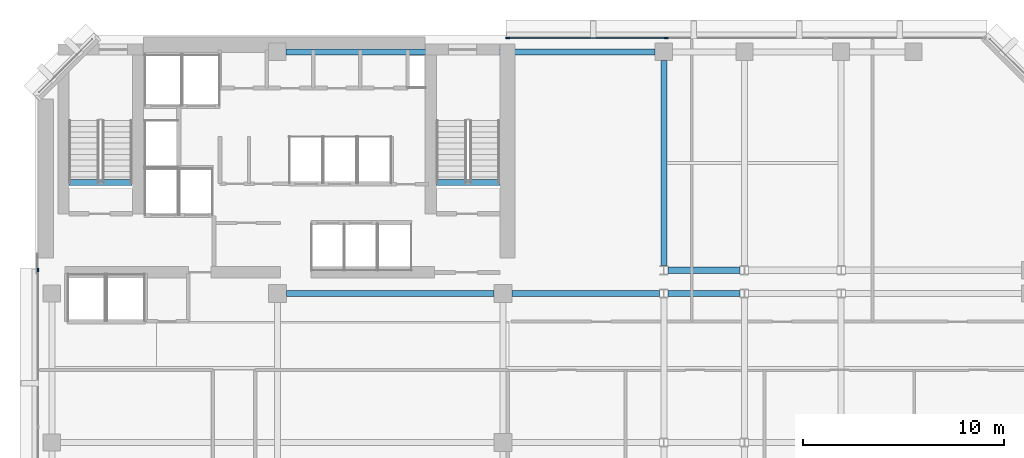
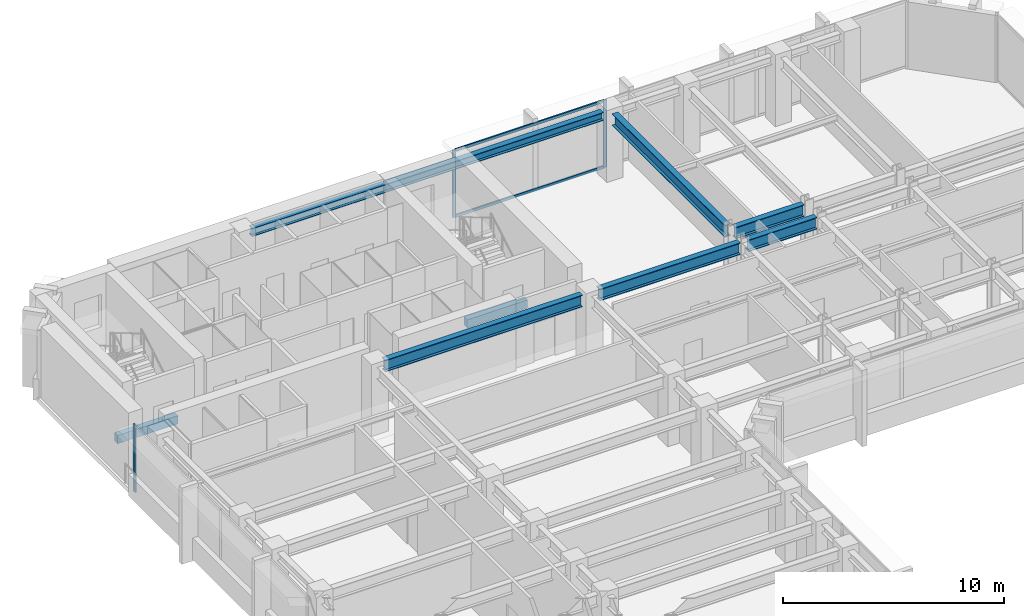
# One storey, part 4 of 11: 8 beams, 5 members, 2 elements without a shape of their own.
"""IFC4 building model written with IfcOpenShell, lengths in metres."""

from ifc_helpers import new_model, si_unit, direction, frame, origin, origin_2d, place, context, subcontext, project, spatial, rectangle, i_section, extrude, material, layer, layer_set, material_profile, profile_set, type_object, element, aggregate, save


model = new_model("IFC4")

# Units and contexts
model_context = context("Model", 3, precision=1e-05, world=origin(), true_north=direction((0.0, 1.0)))
body_context = subcontext(model_context, "Body", "Model", "MODEL_VIEW")
ifc_project = project(units=[si_unit("LENGTHUNIT", "METRE"), si_unit("AREAUNIT", "SQUARE_METRE"), si_unit("VOLUMEUNIT", "CUBIC_METRE"), si_unit("PLANEANGLEUNIT", "RADIAN"), si_unit("MASSUNIT", "GRAM", prefix="KILO")], contexts=[model_context])

# Site, building, storey
site_placement = place(None, origin())
site = spatial("IfcSite", under=ifc_project, at=site_placement, CompositionType="ELEMENT")
building_placement = place(site_placement, origin())
building = spatial("IfcBuilding", under=site, at=building_placement, Name="Kefirva Bronze Tower", CompositionType="ELEMENT")
storey_placement = place(building_placement, frame((0.0, 0.0, 158.72998046875)))
storey = spatial("IfcBuildingStorey", under=building, at=storey_placement, Name="L38", CompositionType="ELEMENT", Elevation=158.72998046875)

# Curtain wall, members
ifc_material_1 = material(Name="Bronze anodised aluminium", Category="aluminium")
ifc_layer = layer(ifc_material_1, 0.199951171875, Name="Bronze anodised aluminium")
ifc_layer_set = layer_set([ifc_layer], Name="Bronze anodised aluminium")
curtain_wall_type = type_object("IfcCurtainWallType", Name="Unitised Bronze Ribbon Curtain Wall Zone 2", PredefinedType="USERDEFINED", material=ifc_layer_set)
curtain_wall_1_placement = place(storey_placement, origin())
curtain_wall_1 = element("IfcCurtainWall", 1, at=curtain_wall_1_placement, inside=storey, type_object=curtain_wall_type, Name="L38 Curtain Wall 5", ObjectType="UNITISED CURTAIN WALL", PredefinedType="USERDEFINED")
ifc_material_profile_1 = material_profile(ifc_material_1, rectangle(XDim=0.074951171875, YDim=0.179931640625, at=origin_2d()), Name="ALU 75x180")
ifc_profile_set_1 = profile_set([ifc_material_profile_1], Name="Bronze anodised aluminium")
member_type_1 = type_object("IfcMemberType", Name="Bronze Mullion 75x180", PredefinedType="MULLION", material=ifc_profile_set_1)
member_1_placement = place(storey_placement, frame((31.318359375, 45.8798828125, 0.0), z_axis=(0.0, 0.0, 1.0), x_axis=(0.0, -1.0, 0.0)))
member_1 = element("IfcMember", 2, at=member_1_placement, type_object=member_type_1, Name="CW-02 mullion 3", PredefinedType="MULLION", context=body_context, shape_type="SweptSolid", body=[
    extrude(rectangle(XDim=0.074951171875, YDim=0.179931640625, at=origin_2d()), origin(), (0.0, 0.0, 1.0), 3.7099609375),
])
member_2_placement = place(storey_placement, frame((23.4423828125, 45.8798828125, 0.0), z_axis=(0.0, 0.0, 1.0), x_axis=(0.0, -1.0, 0.0)))
member_2 = element("IfcMember", 3, at=member_2_placement, type_object=member_type_1, Name="CW-02 mullion 4", PredefinedType="MULLION", context=body_context, shape_type="SweptSolid", body=[
    extrude(rectangle(XDim=0.074951171875, YDim=0.179931640625, at=origin_2d()), origin(), (0.0, 0.0, 1.0), 3.7099609375),
])

# Curtain wall, member
curtain_wall_2_placement = place(storey_placement, origin())
curtain_wall_2 = element("IfcCurtainWall", 4, at=curtain_wall_2_placement, inside=storey, type_object=curtain_wall_type, Name="L38 Curtain Wall 6", ObjectType="UNITISED CURTAIN WALL", PredefinedType="USERDEFINED")
member_3_placement = place(storey_placement, frame((0.1201171875, 34.357421875, 0.0), z_axis=(0.0, 0.0, 1.0), x_axis=(1.0, 0.0, 0.0)))
member_3 = element("IfcMember", 5, at=member_3_placement, type_object=member_type_1, Name="CW-02 mullion 1", PredefinedType="MULLION", context=body_context, shape_type="SweptSolid", body=[
    extrude(rectangle(XDim=0.074951171875, YDim=0.179931640625, at=origin_2d()), origin(), (0.0, 0.0, 1.0), 3.7099609375),
])
aggregate(curtain_wall_2, [member_3])

# Member
ifc_material_profile_2 = material_profile(ifc_material_1, rectangle(XDim=0.074951171875, YDim=0.14990234375, at=origin_2d()), Name="ALU 75x150")
ifc_profile_set_2 = profile_set([ifc_material_profile_2], Name="Bronze anodised aluminium")
member_type_2 = type_object("IfcMemberType", Name="Bronze Transom 75x150", PredefinedType="USERDEFINED", material=ifc_profile_set_2)
member_4_placement = place(storey_placement, frame((31.28076171875, 45.8798828125, 0.03759765625), z_axis=(-1.0, 0.0, 0.0), x_axis=(0.0, -1.0, 0.0)))
member_4 = element("IfcMember", 6, at=member_4_placement, type_object=member_type_2, Name="CW-02 transom 3.1", ObjectType="TRANSOM", PredefinedType="USERDEFINED", context=body_context, shape_type="SweptSolid", body=[
    extrude(rectangle(XDim=0.074951171875, YDim=0.14990234375, at=origin_2d()), origin(), (0.0, 0.0, 1.0), 7.80078125),
])

member_5_placement = place(storey_placement, frame((31.28076171875, 45.8798828125, 3.672607421875), z_axis=(-1.0, 0.0, 0.0), x_axis=(0.0, -1.0, 0.0)))
member_5 = element("IfcMember", 7, at=member_5_placement, type_object=member_type_2, Name="CW-02 transom 3.2", ObjectType="TRANSOM", PredefinedType="USERDEFINED", context=body_context, shape_type="SweptSolid", body=[
    extrude(rectangle(XDim=0.074951171875, YDim=0.14990234375, at=origin_2d()), origin(), (0.0, 0.0, 1.0), 7.80078125),
])

aggregate(curtain_wall_1, [member_1, member_2, member_4, member_5])

# Beams
ifc_material_2 = material(Name="Concrete C50/60", Category="concrete")
ifc_material_profile_3 = material_profile(ifc_material_2, rectangle(XDim=0.300048828125, YDim=0.449951171875, at=origin_2d()), Name="RC 300x450")
ifc_profile_set_3 = profile_set([ifc_material_profile_3], Name="Concrete C50/60")
beam_type_1 = type_object("IfcBeamType", Name="RC Stair Trimmer Beam 300x450", PredefinedType="BEAM", material=ifc_profile_set_3)
beam_1_placement = place(storey_placement, frame((1.64501953125, 38.699951171875, -0.22509765625), z_axis=(1.0, 0.0, 0.0), x_axis=(0.0, 1.0, 0.0)))
element("IfcBeam", 8, at=beam_1_placement, inside=storey, type_object=beam_type_1, Name="L38 Stair 1 Landing Trimmer Beam", PredefinedType="BEAM", context=body_context, shape_type="SweptSolid", body=[
    extrude(rectangle(XDim=0.300048828125, YDim=0.449951171875, at=origin_2d()), origin(), (0.0, 0.0, 1.0), 3.14990234375),
])
beam_2_placement = place(storey_placement, frame((19.89501953125, 38.699951171875, -0.22509765625), z_axis=(1.0, 0.0, 0.0), x_axis=(0.0, 1.0, 0.0)))
element("IfcBeam", 9, at=beam_2_placement, inside=storey, type_object=beam_type_1, Name="L38 Stair 2 Landing Trimmer Beam", PredefinedType="BEAM", context=body_context, shape_type="SweptSolid", body=[
    extrude(rectangle(XDim=0.300048828125, YDim=0.449951171875, at=origin_2d()), origin(), (0.0, 0.0, 1.0), 3.159912109375),
])
ifc_material_3 = material(Name="Steel S355", Category="steel")
ifc_material_profile_4 = material_profile(ifc_material_3, i_section(OverallWidth=0.300048828125, OverallDepth=0.64990234375, WebThickness=0.01611328125, FlangeThickness=0.031005859375, at=origin_2d()), Name="HEB 650")
ifc_profile_set_4 = profile_set([ifc_material_profile_4], Name="Steel S355")
beam_type_2 = type_object("IfcBeamType", Name="Steel Girder HEB 650", PredefinedType="USERDEFINED", material=ifc_profile_set_4)
beam_3_placement = place(storey_placement, frame((12.449951171875, 33.199951171875, 3.385009765625), z_axis=(1.0, 0.0, 0.0), x_axis=(0.0, 1.0, 0.0)))
element("IfcBeam", 10, at=beam_3_placement, inside=storey, type_object=beam_type_2, Name="L38 BM-L38-EW-12-332", ObjectType="GIRDER", PredefinedType="USERDEFINED", context=body_context, shape_type="SweptSolid", body=[
    extrude(i_section(OverallWidth=0.300048828125, OverallDepth=0.64990234375, WebThickness=0.01611328125, FlangeThickness=0.031005859375, at=origin_2d()), origin(), (0.0, 0.0, 1.0), 10.300048828125),
])
beam_4_placement = place(storey_placement, frame((23.64990234375, 33.199951171875, 3.385009765625), z_axis=(1.0, 0.0, 0.0), x_axis=(0.0, 1.0, 0.0)))
element("IfcBeam", 11, at=beam_4_placement, inside=storey, type_object=beam_type_2, Name="L38 BM-L38-EW-23-332", ObjectType="GIRDER", PredefinedType="USERDEFINED", context=body_context, shape_type="SweptSolid", body=[
    extrude(i_section(OverallWidth=0.300048828125, OverallDepth=0.64990234375, WebThickness=0.01611328125, FlangeThickness=0.031005859375, at=origin_2d()), origin(), (0.0, 0.0, 1.0), 7.341064453125),
])
for number, where, z_axis, x_axis, name in (
    (12, (31.408935546875, 33.199951171875, 3.385009765625), (1.0, 0.0, 0.0), (0.0, 1.0, 0.0), "L38 BM-L38-EW-31-332"),
    (13, (31.408935546875, 34.35009765625, 3.385009765625), (1.0, 0.0, 0.0), (0.0, 1.0, 0.0), "L38 BM-L38-EW-31-344"),
):
    element("IfcBeam", number, at=place(storey_placement, frame(where, z_axis=z_axis, x_axis=x_axis)), inside=storey, type_object=beam_type_2, Name=name, ObjectType="GIRDER", PredefinedType="USERDEFINED", context=body_context, shape_type="SweptSolid", body=[
        extrude(i_section(OverallWidth=0.300048828125, OverallDepth=0.64990234375, WebThickness=0.01611328125, FlangeThickness=0.031005859375, at=origin_2d()), origin(), (0.0, 0.0, 1.0), 3.58203125),
    ])
beam_5_placement = place(storey_placement, frame((31.199951171875, 34.577392578125, 3.385009765625), z_axis=(0.0, 1.0, 0.0), x_axis=(-1.0, 0.0, 0.0)))
element("IfcBeam", 14, at=beam_5_placement, inside=storey, type_object=beam_type_2, Name="L38 BM-L38-NS-312-34", ObjectType="GIRDER", PredefinedType="USERDEFINED", context=body_context, shape_type="SweptSolid", body=[
    extrude(i_section(OverallWidth=0.300048828125, OverallDepth=0.64990234375, WebThickness=0.01611328125, FlangeThickness=0.031005859375, at=origin_2d()), origin(), (0.0, 0.0, 1.0), 10.192626953125),
])
ifc_material_profile_5 = material_profile(ifc_material_3, i_section(OverallWidth=0.300048828125, OverallDepth=0.449951171875, WebThickness=0.013916015625, FlangeThickness=0.02587890625, at=origin_2d()), Name="HEB 450")
ifc_profile_set_5 = profile_set([ifc_material_profile_5], Name="Steel S355")
beam_type_3 = type_object("IfcBeamType", Name="Steel Spandrel HEB 450 Ext", PredefinedType="SPANDREL", material=ifc_profile_set_5)
beam_6_placement = place(storey_placement, frame((12.429931640625, 45.199951171875, 3.485107421875), z_axis=(1.0, 0.0, 0.0), x_axis=(0.0, 1.0, 0.0)))
element("IfcBeam", 15, at=beam_6_placement, inside=storey, type_object=beam_type_3, Name="L38 BM-L38-EW-12-452", PredefinedType="SPANDREL", context=body_context, shape_type="SweptSolid", body=[
    extrude(i_section(OverallWidth=0.300048828125, OverallDepth=0.449951171875, WebThickness=0.013916015625, FlangeThickness=0.02587890625, at=origin_2d()), origin(), (0.0, 0.0, 1.0), 18.340087890625),
])

save(model, "model.ifc")
